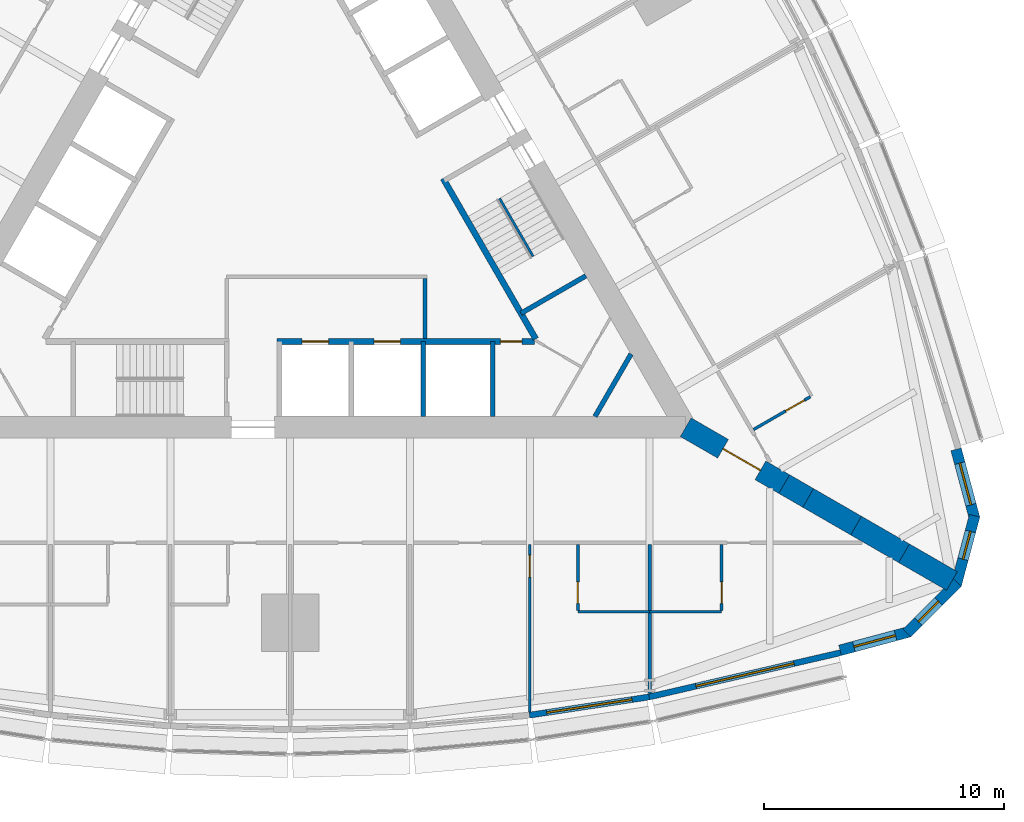
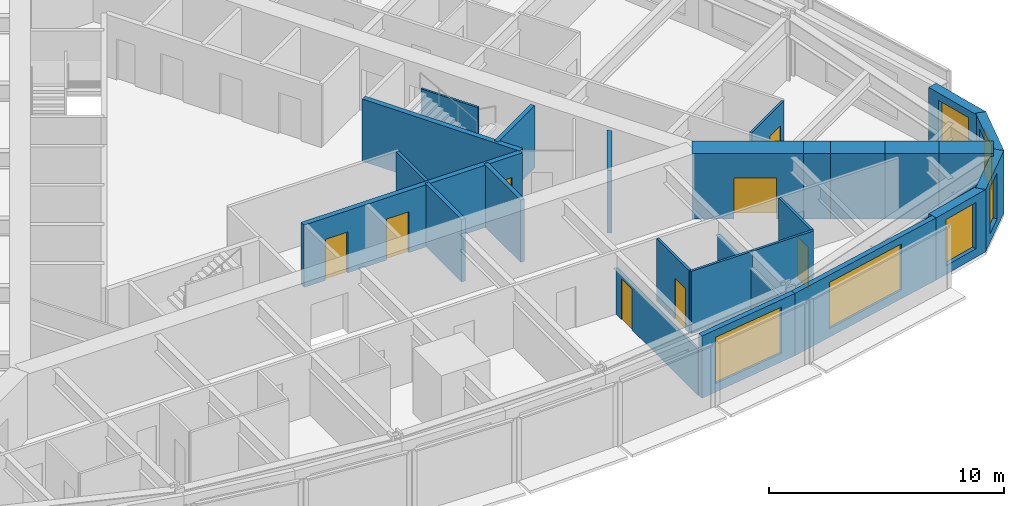
# One storey, part 10 of 14: 26 walls, 8 doors, 6 windows, 14 openings.
"""IFC4 building model written with IfcOpenShell, lengths in metres."""

from ifc_helpers import new_model, si_unit, direction, frame, frame_2d, origin, place, context, subcontext, project, spatial, polyline, rectangle, outline, extrude, material, layer, layer_set, type_object, element, fill, save


model = new_model("IFC4")

# Units and contexts
model_context = context("Model", 3, precision=1e-05, world=origin(), true_north=direction((0.0, 1.0)))
body_context = subcontext(model_context, "Body", "Model", "MODEL_VIEW")
ifc_project = project(units=[si_unit("LENGTHUNIT", "METRE"), si_unit("AREAUNIT", "SQUARE_METRE"), si_unit("VOLUMEUNIT", "CUBIC_METRE"), si_unit("PLANEANGLEUNIT", "RADIAN"), si_unit("MASSUNIT", "GRAM", prefix="KILO")], contexts=[model_context])

# Site, building, storey
site_placement = place(None, origin())
site = spatial("IfcSite", under=ifc_project, at=site_placement, CompositionType="ELEMENT")
building_placement = place(site_placement, origin())
building = spatial("IfcBuilding", under=site, at=building_placement, Name="Trikona Tower", CompositionType="ELEMENT")
storey_placement = place(building_placement, frame((0.0, 0.0, 62.5)))
storey = spatial("IfcBuildingStorey", under=building, at=storey_placement, Name="L15", CompositionType="ELEMENT", Elevation=62.5)

# Wall
ifc_material_1 = material(Name="Metal stud and cement board", Category="gypsum")
ifc_layer_1 = layer(ifc_material_1, 0.1201171875)
ifc_layer_set_1 = layer_set([ifc_layer_1], Name="Bathroom wall 120")
wall_type_1 = type_object("IfcWallType", Name="Bathroom wall 120", PredefinedType="PLUMBINGWALL", material=ifc_layer_set_1)
wall_1_placement = place(storey_placement, frame((12.0, -17.226318359375, 0.0), z_axis=(0.0, 0.0, 1.0), x_axis=(1.0, 0.0, 0.0)))
element("IfcWall", 1, at=wall_1_placement, inside=storey, type_object=wall_type_1, Name="Bathroom wall 1505.1", PredefinedType="PLUMBINGWALL", context=body_context, shape_type="SweptSolid", body=[
    extrude(rectangle(XDim=3.0, YDim=0.1201171875, at=frame_2d((1.5, 0.0))), origin(), (0.0, 0.0, 1.0), 3.235107421875),
])

# Wall, opening, door
wall_2_placement = place(storey_placement, frame((12.0, -14.42626953125, 0.0), z_axis=(0.0, 0.0, 1.0), x_axis=(0.0, -1.0, 0.0)))
wall_2 = element("IfcWall", 2, at=wall_2_placement, inside=storey, type_object=wall_type_1, Name="Bathroom wall 1505.1", PredefinedType="PLUMBINGWALL", context=body_context, shape_type="SweptSolid", body=[
    extrude(rectangle(XDim=2.739990234375, YDim=0.1201171875, at=frame_2d((1.3701171875, 0.0))), origin(), (0.0, 0.0, 1.0), 3.235107421875),
])
opening_1_placement = place(wall_2_placement, frame((1.550048828125, 0.0, 0.0)))
opening_1 = element("IfcOpeningElement", 3, at=opening_1_placement, cuts=wall_2, Name="Opening D2", PredefinedType="OPENING", context=body_context, shape_type="SweptSolid", body=[
    extrude(rectangle(XDim=0.89990234375, YDim=2.1298828125, at=frame_2d((0.449951171875, 1.06494140625))), frame((0.0, 0.070068359375, 0.0), z_axis=(0.0, -1.0, 0.0), x_axis=(1.0, 0.0, 0.0)), (0.0, 0.0, 1.0), 0.14013671875),
])
ifc_material_2 = material(Name="Steel door frame with solid-core timber leaf", Category="steel")
door_type_1 = type_object("IfcDoorType", Name="Bathroom door 900x2130", OperationType="SLIDING_TO_LEFT", PredefinedType="DOOR", material=ifc_material_2)
door_1_placement = place(opening_1_placement, origin())
door_1 = element("IfcDoor", 4, at=door_1_placement, inside=storey, type_object=door_type_1, Name="Bathroom door 1505.1", OperationType="SLIDING_TO_LEFT", OverallHeight=2.1298828125, OverallWidth=0.89990234375, PredefinedType="DOOR", context=body_context, shape_type="SweptSolid", body=[
    extrude(rectangle(XDim=0.89990234375, YDim=2.1298828125, at=frame_2d((0.449951171875, 1.06494140625))), frame((0.0, 0.02490234375, 0.0), z_axis=(0.0, -1.0, 0.0), x_axis=(1.0, 0.0, 0.0)), (0.0, 0.0, 1.0), 0.050048828125),
])
fill(opening_1, door_1)

# Wall
wall_3_placement = place(storey_placement, frame((15.0, -17.226318359375, 0.0), z_axis=(0.0, 0.0, 1.0), x_axis=(1.0, 0.0, 0.0)))
element("IfcWall", 5, at=wall_3_placement, inside=storey, type_object=wall_type_1, Name="Bathroom wall 1506", PredefinedType="PLUMBINGWALL", context=body_context, shape_type="SweptSolid", body=[
    extrude(rectangle(XDim=3.0, YDim=0.1201171875, at=frame_2d((1.5, 0.0))), origin(), (0.0, 0.0, 1.0), 3.235107421875),
])

# Wall, opening, door
wall_4_placement = place(storey_placement, frame((18.0, -14.42626953125, 0.0), z_axis=(0.0, 0.0, 1.0), x_axis=(0.0, -1.0, 0.0)))
wall_4 = element("IfcWall", 6, at=wall_4_placement, inside=storey, type_object=wall_type_1, Name="Bathroom wall 1506", PredefinedType="PLUMBINGWALL", context=body_context, shape_type="SweptSolid", body=[
    extrude(rectangle(XDim=2.739990234375, YDim=0.1201171875, at=frame_2d((1.3701171875, 0.0))), origin(), (0.0, 0.0, 1.0), 3.235107421875),
])
opening_2_placement = place(wall_4_placement, frame((1.550048828125, 0.0, 0.0)))
opening_2 = element("IfcOpeningElement", 7, at=opening_2_placement, cuts=wall_4, Name="Opening D2", PredefinedType="OPENING", context=body_context, shape_type="SweptSolid", body=[
    extrude(rectangle(XDim=0.89990234375, YDim=2.1298828125, at=frame_2d((0.449951171875, 1.06494140625))), frame((0.0, 0.070068359375, 0.0), z_axis=(0.0, -1.0, 0.0), x_axis=(1.0, 0.0, 0.0)), (0.0, 0.0, 1.0), 0.14013671875),
])
door_2_placement = place(opening_2_placement, origin())
door_2 = element("IfcDoor", 8, at=door_2_placement, inside=storey, type_object=door_type_1, Name="Bathroom door 1506", OperationType="SLIDING_TO_LEFT", OverallHeight=2.1298828125, OverallWidth=0.89990234375, PredefinedType="DOOR", context=body_context, shape_type="SweptSolid", body=[
    extrude(rectangle(XDim=0.89990234375, YDim=2.1298828125, at=frame_2d((0.449951171875, 1.06494140625))), frame((0.0, 0.02490234375, 0.0), z_axis=(0.0, -1.0, 0.0), x_axis=(1.0, 0.0, 0.0)), (0.0, 0.0, 1.0), 0.050048828125),
])
fill(opening_2, door_2)

wall_5_placement = place(storey_placement, frame((19.32861328125, -9.625244140625, 0.0), z_axis=(0.0, 0.0, 1.0), x_axis=(0.866035715982, 0.499982138324, 0.0)))
wall_5 = element("IfcWall", 9, at=wall_5_placement, inside=storey, type_object=wall_type_1, Name="Bathroom wall 1507", PredefinedType="PLUMBINGWALL", context=body_context, shape_type="SweptSolid", body=[
    extrude(rectangle(XDim=2.73974609375, YDim=0.1201171875, at=frame_2d((1.369873046875, 0.0))), origin(), (0.0, 0.0, 1.0), 3.235107421875),
])
opening_3_placement = place(wall_5_placement, frame((1.550048828125, 0.0, 0.0)))
opening_3 = element("IfcOpeningElement", 10, at=opening_3_placement, cuts=wall_5, Name="Opening D2", PredefinedType="OPENING", context=body_context, shape_type="SweptSolid", body=[
    extrude(rectangle(XDim=0.89990234375, YDim=2.1298828125, at=frame_2d((0.449951171875, 1.06494140625))), frame((0.0, 0.070068359375, 0.0), z_axis=(0.0, -1.0, 0.0), x_axis=(1.0, 0.0, 0.0)), (0.0, 0.0, 1.0), 0.14013671875),
])
door_3_placement = place(opening_3_placement, origin())
door_3 = element("IfcDoor", 11, at=door_3_placement, inside=storey, type_object=door_type_1, Name="Bathroom door 1507", OperationType="SLIDING_TO_LEFT", OverallHeight=2.1298828125, OverallWidth=0.89990234375, PredefinedType="DOOR", context=body_context, shape_type="SweptSolid", body=[
    extrude(rectangle(XDim=0.89990234375, YDim=2.1298828125, at=frame_2d((0.449951171875, 1.06494140625))), frame((0.0, 0.02490234375, 0.0), z_axis=(0.0, -1.0, 0.0), x_axis=(1.0, 0.0, 0.0)), (0.0, 0.0, 1.0), 0.050048828125),
])
fill(opening_3, door_3)

# Wall, opening, window
ifc_material_3 = material(Name="Brick-faced precast concrete", Category="masonry")
ifc_layer_2 = layer(ifc_material_3, 0.449951171875)
ifc_layer_set_2 = layer_set([ifc_layer_2], Name="Brick-faced corner wall 450")
wall_type_2 = type_object("IfcWallType", Name="Brick-faced corner wall 450", PredefinedType="SOLIDWALL", material=ifc_layer_set_2)
wall_6_placement = place(storey_placement, frame((22.94189453125, -18.835205078125, 0.0), z_axis=(0.0, 0.0, 1.0), x_axis=(0.965930548995, 0.258801419081, 0.0)))
wall_6 = element("IfcWall", 12, at=wall_6_placement, inside=storey, type_object=wall_type_2, Name="External wall L15-08", PredefinedType="SOLIDWALL", context=body_context, shape_type="SweptSolid", body=[
    extrude(rectangle(XDim=2.988525390625, YDim=0.449951171875, at=frame_2d((1.494140625, 0.0))), origin(), (0.0, 0.0, 1.0), 3.235107421875),
])
opening_4_placement = place(wall_6_placement, frame((0.59423828125, 0.0, 0.449951171875)))
opening_4 = element("IfcOpeningElement", 13, at=opening_4_placement, cuts=wall_6, Name="Opening W1824", PredefinedType="OPENING", context=body_context, shape_type="SweptSolid", body=[
    extrude(rectangle(XDim=1.800048828125, YDim=2.39990234375, at=frame_2d((0.89990234375, 1.199951171875))), frame((0.0, 0.23486328125, 0.0), z_axis=(0.0, -1.0, 0.0), x_axis=(1.0, 0.0, 0.0)), (0.0, 0.0, 1.0), 0.469970703125),
])
ifc_material_4 = material(Name="Aluminium-framed double glazing", Category="aluminium")
window_type_1 = type_object("IfcWindowType", Name="Window 1800x2400", PartitioningType="SINGLE_PANEL", PredefinedType="WINDOW", material=ifc_material_4)
window_1_placement = place(opening_4_placement, origin())
window_1 = element("IfcWindow", 14, at=window_1_placement, inside=storey, type_object=window_type_1, Name="Window 1506", OverallHeight=2.39990234375, OverallWidth=1.800048828125, PartitioningType="SINGLE_PANEL", PredefinedType="WINDOW", context=body_context, shape_type="SweptSolid", body=[
    extrude(rectangle(XDim=1.800048828125, YDim=2.39990234375, at=frame_2d((0.89990234375, 1.199951171875))), frame((0.0, 0.030029296875, 0.0), z_axis=(0.0, -1.0, 0.0), x_axis=(1.0, 0.0, 0.0)), (0.0, 0.0, 1.0), 0.06005859375),
])
fill(opening_4, window_1)

wall_7_placement = place(storey_placement, frame((25.727783203125, -18.1201171875, 0.0), z_axis=(0.0, 0.0, 1.0), x_axis=(0.707025086683, 0.707188466253, 0.0)))
wall_7 = element("IfcWall", 15, at=wall_7_placement, inside=storey, type_object=wall_type_2, Name="External wall L15-09", PredefinedType="SOLIDWALL", context=body_context, shape_type="SweptSolid", body=[
    extrude(outline(polyline([(2.988525390625, 0.22509765625), (2.929931640625, 0.22509765625), (2.4375, 0.093017578125), (2.402099609375, 0.22509765625), (0.0, 0.22509765625), (0.0, -0.22509765625), (2.988525390625, -0.22509765625), (2.988525390625, 0.22509765625)])), origin(), (0.0, 0.0, 1.0), 3.235107421875),
])
opening_5_placement = place(wall_7_placement, frame((0.676025390625, 0.0, 0.449951171875)))
opening_5 = element("IfcOpeningElement", 16, at=opening_5_placement, cuts=wall_7, Name="Opening W1224", PredefinedType="OPENING", context=body_context, shape_type="SweptSolid", body=[
    extrude(rectangle(XDim=1.199951171875, YDim=2.39990234375, at=frame_2d((0.60009765625, 1.199951171875))), frame((0.0, 0.23486328125, 0.0), z_axis=(0.0, -1.0, 0.0), x_axis=(1.0, 0.0, 0.0)), (0.0, 0.0, 1.0), 0.469970703125),
])
ifc_material_5 = material(Name="Aluminium-framed double glazing", Category="aluminium")
window_type_2 = type_object("IfcWindowType", Name="Window 1200x2400", PartitioningType="SINGLE_PANEL", PredefinedType="WINDOW", material=ifc_material_5)
window_2_placement = place(opening_5_placement, origin())
window_2 = element("IfcWindow", 17, at=window_2_placement, inside=storey, type_object=window_type_2, Name="Window 1506", OverallHeight=2.39990234375, OverallWidth=1.199951171875, PartitioningType="SINGLE_PANEL", PredefinedType="WINDOW", context=body_context, shape_type="SweptSolid", body=[
    extrude(rectangle(XDim=1.199951171875, YDim=2.39990234375, at=frame_2d((0.60009765625, 1.199951171875))), frame((0.0, 0.030029296875, 0.0), z_axis=(0.0, -1.0, 0.0), x_axis=(1.0, 0.0, 0.0)), (0.0, 0.0, 1.0), 0.06005859375),
])
fill(opening_5, window_2)

wall_8_placement = place(storey_placement, frame((27.78271484375, -16.107666015625, 0.0), z_axis=(0.0, 0.0, 1.0), x_axis=(0.258801419081, 0.965930548995, 0.0)))
wall_8 = element("IfcWall", 18, at=wall_8_placement, inside=storey, type_object=wall_type_2, Name="External wall L15-10", PredefinedType="SOLIDWALL", context=body_context, shape_type="SweptSolid", body=[
    extrude(outline(polyline([(2.988525390625, 0.22509765625), (0.58642578125, 0.22509765625), (0.55126953125, 0.09326171875), (0.0595703125, 0.22509765625), (0.0, 0.22509765625), (0.0, -0.22509765625), (2.988525390625, -0.22509765625), (2.988525390625, 0.22509765625)])), origin(), (0.0, 0.0, 1.0), 3.235107421875),
])
opening_6_placement = place(wall_8_placement, frame((1.112548828125, 0.0, 0.449951171875)))
opening_6 = element("IfcOpeningElement", 19, at=opening_6_placement, cuts=wall_8, Name="Opening W1224", PredefinedType="OPENING", context=body_context, shape_type="SweptSolid", body=[
    extrude(rectangle(XDim=1.199951171875, YDim=2.39990234375, at=frame_2d((0.60009765625, 1.199951171875))), frame((0.0, 0.23486328125, 0.0), z_axis=(0.0, -1.0, 0.0), x_axis=(1.0, 0.0, 0.0)), (0.0, 0.0, 1.0), 0.469970703125),
])
window_3_placement = place(opening_6_placement, origin())
window_3 = element("IfcWindow", 20, at=window_3_placement, inside=storey, type_object=window_type_2, Name="Window 1507", OverallHeight=2.39990234375, OverallWidth=1.199951171875, PartitioningType="SINGLE_PANEL", PredefinedType="WINDOW", context=body_context, shape_type="SweptSolid", body=[
    extrude(rectangle(XDim=1.199951171875, YDim=2.39990234375, at=frame_2d((0.60009765625, 1.199951171875))), frame((0.0, 0.030029296875, 0.0), z_axis=(0.0, -1.0, 0.0), x_axis=(1.0, 0.0, 0.0)), (0.0, 0.0, 1.0), 0.06005859375),
])
fill(opening_6, window_3)

wall_9_placement = place(storey_placement, frame((28.55615234375, -13.33740234375, 0.0), z_axis=(0.0, 0.0, 1.0), x_axis=(-0.258780998834, 0.965936019953, 0.0)))
wall_9 = element("IfcWall", 21, at=wall_9_placement, inside=storey, type_object=wall_type_2, Name="External wall L15-11", PredefinedType="SOLIDWALL", context=body_context, shape_type="SweptSolid", body=[
    extrude(rectangle(XDim=2.98876953125, YDim=0.449951171875, at=frame_2d((1.494384765625, 0.0))), origin(), (0.0, 0.0, 1.0), 3.235107421875),
])
opening_7_placement = place(wall_9_placement, frame((0.59423828125, 0.0, 0.449951171875)))
opening_7 = element("IfcOpeningElement", 22, at=opening_7_placement, cuts=wall_9, Name="Opening W1824", PredefinedType="OPENING", context=body_context, shape_type="SweptSolid", body=[
    extrude(rectangle(XDim=1.800048828125, YDim=2.39990234375, at=frame_2d((0.89990234375, 1.199951171875))), frame((0.0, 0.23486328125, 0.0), z_axis=(0.0, -1.0, 0.0), x_axis=(1.0, 0.0, 0.0)), (0.0, 0.0, 1.0), 0.469970703125),
])
window_4_placement = place(opening_7_placement, origin())
window_4 = element("IfcWindow", 23, at=window_4_placement, inside=storey, type_object=window_type_1, Name="Window 1507", OverallHeight=2.39990234375, OverallWidth=1.800048828125, PartitioningType="SINGLE_PANEL", PredefinedType="WINDOW", context=body_context, shape_type="SweptSolid", body=[
    extrude(rectangle(XDim=1.800048828125, YDim=2.39990234375, at=frame_2d((0.89990234375, 1.199951171875))), frame((0.0, 0.030029296875, 0.0), z_axis=(0.0, -1.0, 0.0), x_axis=(1.0, 0.0, 0.0)), (0.0, 0.0, 1.0), 0.06005859375),
])
fill(opening_7, window_4)

# Wall, opening, door
ifc_material_6 = material(Name="Concrete f'c 10000 psi", Category="concrete")
ifc_layer_3 = layer(ifc_material_6, 0.89990234375)
ifc_layer_set_3 = layer_set([ifc_layer_3], Name="Buttress wall 900")
wall_type_3 = type_object("IfcWallType", Name="Buttress wall 900", PredefinedType="SHEAR", material=ifc_layer_set_3)
wall_10_placement = place(storey_placement, frame((16.5, -9.5263671875, 0.0), z_axis=(0.0, 0.0, 1.0), x_axis=(0.866031398331, -0.499989616998, 0.0)))
wall_10 = element("IfcWall", 24, at=wall_10_placement, inside=storey, type_object=wall_type_3, Name="Buttress wall 1", PredefinedType="SHEAR", context=body_context, shape_type="SweptSolid", body=[
    extrude(rectangle(XDim=4.74609375, YDim=0.89990234375, at=frame_2d((2.373046875, 0.0))), origin(), (0.0, 0.0, 1.0), 3.39990234375),
])
opening_8_placement = place(wall_10_placement, frame((1.800048828125, 0.0, 0.0)))
opening_8 = element("IfcOpeningElement", 25, at=opening_8_placement, cuts=wall_10, Name="Opening D10", PredefinedType="OPENING", context=body_context, shape_type="SweptSolid", body=[
    extrude(rectangle(XDim=1.800048828125, YDim=2.1298828125, at=frame_2d((0.89990234375, 1.06494140625))), frame((0.0, 0.4599609375, 0.0), z_axis=(0.0, -1.0, 0.0), x_axis=(1.0, 0.0, 0.0)), (0.0, 0.0, 1.0), 0.919921875),
])
ifc_material_7 = material(Name="Hollow metal door and frame", Category="steel")
door_type_2 = type_object("IfcDoorType", Name="Cross-corridor door pair 1800x2130", OperationType="DOUBLE_DOOR_DOUBLE_SWING", PredefinedType="DOOR", material=ifc_material_7)
door_4_placement = place(opening_8_placement, origin())
door_4 = element("IfcDoor", 26, at=door_4_placement, inside=storey, type_object=door_type_2, Name="Cross-corridor door 1", OperationType="DOUBLE_DOOR_DOUBLE_SWING", OverallHeight=2.1298828125, OverallWidth=1.800048828125, PredefinedType="DOOR", context=body_context, shape_type="SweptSolid", body=[
    extrude(rectangle(XDim=1.800048828125, YDim=2.1298828125, at=frame_2d((0.89990234375, 1.06494140625))), frame((0.0, 0.02490234375, 0.0), z_axis=(0.0, -1.0, 0.0), x_axis=(1.0, 0.0, 0.0)), (0.0, 0.0, 1.0), 0.050048828125),
])
fill(opening_8, door_4)

# Walls
wall_11_placement = place(storey_placement, frame((20.6103515625, -11.8994140625, 0.0), z_axis=(0.0, 0.0, 1.0), x_axis=(0.866009537788, -0.500027479704, 0.0)))
element("IfcWall", 27, at=wall_11_placement, inside=storey, type_object=wall_type_3, Name="Buttress wall 1 part 2", PredefinedType="SHEAR", context=body_context, shape_type="SweptSolid", body=[
    extrude(rectangle(XDim=1.15478515625, YDim=0.89990234375, at=frame_2d((0.577392578125, 0.0))), origin(), (0.0, 0.0, 1.0), 3.39990234375),
])
for number, where, z_axis, x_axis, name in (
    (28, (21.6103515625, -12.476806640625, 0.0), (0.0, 0.0, 1.0), (0.866055313784, -0.499948190782, 0.0), "Buttress wall 1 part 3"),
    (29, (23.6103515625, -13.63134765625, 0.0), (0.0, 0.0, 1.0), (0.866009537788, -0.500027479704, 0.0), "Buttress wall 1 part 4"),
    (30, (25.6103515625, -14.7861328125, 0.0), (0.0, 0.0, 1.0), (0.866009537788, -0.500027479704, 0.0), "Buttress wall 1 part 5"),
):
    element("IfcWall", number, at=place(storey_placement, frame(where, z_axis=z_axis, x_axis=x_axis)), inside=storey, type_object=wall_type_3, Name=name, PredefinedType="SHEAR", context=body_context, shape_type="SweptSolid", body=[
        extrude(rectangle(XDim=2.309326171875, YDim=0.89990234375, at=frame_2d((1.15478515625, 0.0))), origin(), (0.0, 0.0, 1.0), 3.39990234375),
    ])

# Wall, openings, doors
ifc_material_8 = material(Name="Concrete f'c 8000 psi", Category="concrete")
ifc_layer_4 = layer(ifc_material_8, 0.25)
ifc_layer_set_4 = layer_set([ifc_layer_4], Name="Hub wall 250")
wall_type_4 = type_object("IfcWallType", Name="Hub wall 250", PredefinedType="SOLIDWALL", material=ifc_layer_set_4)
wall_12_placement = place(storey_placement, frame((-0.550048828125, -5.951416015625, 0.0), z_axis=(0.0, 0.0, 1.0), x_axis=(1.0, 0.0, 0.0)))
wall_12 = element("IfcWall", 31, at=wall_12_placement, inside=storey, type_object=wall_type_4, Name="Lift lobby wall A2", PredefinedType="SOLIDWALL", context=body_context, shape_type="SweptSolid", body=[
    extrude(rectangle(XDim=10.73291015625, YDim=0.25, at=frame_2d((5.366455078125, 0.0))), origin(), (0.0, 0.0, 1.0), 3.235107421875),
])
opening_9_placement = place(wall_12_placement, frame((9.31396484375, 0.0, 0.0)))
opening_9 = element("IfcOpeningElement", 32, at=opening_9_placement, cuts=wall_12, Name="Opening D14", PredefinedType="OPENING", context=body_context, shape_type="SweptSolid", body=[
    extrude(rectangle(XDim=0.89990234375, YDim=2.1298828125, at=frame_2d((0.449951171875, 1.06494140625))), frame((0.0, 0.135009765625, 0.0), z_axis=(0.0, -1.0, 0.0), x_axis=(1.0, 0.0, 0.0)), (0.0, 0.0, 1.0), 0.27001953125),
])
opening_10_placement = place(wall_12_placement, frame((1.050048828125, 0.0, 0.0)))
opening_10 = element("IfcOpeningElement", 33, at=opening_10_placement, cuts=wall_12, Name="Opening LD", PredefinedType="OPENING", context=body_context, shape_type="SweptSolid", body=[
    extrude(rectangle(XDim=1.10009765625, YDim=2.1298828125, at=frame_2d((0.550048828125, 1.06494140625))), frame((0.0, 0.135009765625, 0.0), z_axis=(0.0, -1.0, 0.0), x_axis=(1.0, 0.0, 0.0)), (0.0, 0.0, 1.0), 0.27001953125),
])
opening_11_placement = place(wall_12_placement, frame((4.050048828125, 0.0, 0.0)))
opening_11 = element("IfcOpeningElement", 34, at=opening_11_placement, cuts=wall_12, Name="Opening LD", PredefinedType="OPENING", context=body_context, shape_type="SweptSolid", body=[
    extrude(rectangle(XDim=1.10009765625, YDim=2.1298828125, at=frame_2d((0.550048828125, 1.06494140625))), frame((0.0, 0.135009765625, 0.0), z_axis=(0.0, -1.0, 0.0), x_axis=(1.0, 0.0, 0.0)), (0.0, 0.0, 1.0), 0.27001953125),
])
ifc_material_9 = material(Name="Stainless steel lift landing door", Category="steel")
door_type_3 = type_object("IfcDoorType", Name="Lift landing door 1100x2130", OperationType="DOUBLE_DOOR_SLIDING", PredefinedType="USERDEFINED", material=ifc_material_9)
door_5_placement = place(opening_10_placement, origin())
door_5 = element("IfcDoor", 35, at=door_5_placement, inside=storey, type_object=door_type_3, Name="Lift landing door FF1", ObjectType="LIFT LANDING DOOR", OperationType="DOUBLE_DOOR_SLIDING", OverallHeight=2.1298828125, OverallWidth=1.10009765625, PredefinedType="USERDEFINED", context=body_context, shape_type="SweptSolid", body=[
    extrude(rectangle(XDim=1.10009765625, YDim=2.1298828125, at=frame_2d((0.550048828125, 1.06494140625))), frame((0.0, 0.02490234375, 0.0), z_axis=(0.0, -1.0, 0.0), x_axis=(1.0, 0.0, 0.0)), (0.0, 0.0, 1.0), 0.050048828125),
])
fill(opening_10, door_5)
door_6_placement = place(opening_11_placement, origin())
door_6 = element("IfcDoor", 36, at=door_6_placement, inside=storey, type_object=door_type_3, Name="Lift landing door FF2", ObjectType="LIFT LANDING DOOR", OperationType="DOUBLE_DOOR_SLIDING", OverallHeight=2.1298828125, OverallWidth=1.10009765625, PredefinedType="USERDEFINED", context=body_context, shape_type="SweptSolid", body=[
    extrude(rectangle(XDim=1.10009765625, YDim=2.1298828125, at=frame_2d((0.550048828125, 1.06494140625))), frame((0.0, 0.02490234375, 0.0), z_axis=(0.0, -1.0, 0.0), x_axis=(1.0, 0.0, 0.0)), (0.0, 0.0, 1.0), 0.050048828125),
])
fill(opening_11, door_6)
ifc_material_10 = material(Name="Hollow metal door and frame", Category="steel")
door_type_4 = type_object("IfcDoorType", Name="Service room door 900x2130", OperationType="SINGLE_SWING_LEFT", PredefinedType="DOOR", material=ifc_material_10)
door_7_placement = place(opening_9_placement, origin())
door_7 = element("IfcDoor", 37, at=door_7_placement, inside=storey, type_object=door_type_4, Name="Door Linen store LIN", OperationType="SINGLE_SWING_RIGHT", OverallHeight=2.1298828125, OverallWidth=0.89990234375, PredefinedType="DOOR", context=body_context, shape_type="SweptSolid", body=[
    extrude(rectangle(XDim=0.89990234375, YDim=2.1298828125, at=frame_2d((0.449951171875, 1.06494140625))), frame((0.0, 0.02490234375, 0.0), z_axis=(0.0, -1.0, 0.0), x_axis=(1.0, 0.0, 0.0)), (0.0, 0.0, 1.0), 0.050048828125),
])
fill(opening_9, door_7)

# Wall
wall_13_placement = place(storey_placement, frame((10.245361328125, -5.843017578125, 0.0), z_axis=(0.0, 0.0, 1.0), x_axis=(-0.499993009313, 0.866029439822, 0.0)))
element("IfcWall", 38, at=wall_13_placement, inside=storey, type_object=wall_type_4, Name="Lift lobby wall B1", PredefinedType="SOLIDWALL", context=body_context, shape_type="SweptSolid", body=[
    extrude(rectangle(XDim=7.73291015625, YDim=0.25, at=frame_2d((3.866455078125, 0.0))), origin(), (0.0, 0.0, 1.0), 3.235107421875),
])

# Wall, opening, window
ifc_material_11 = material(Name="Insulated precast concrete spandrel panel", Category="concrete")
ifc_layer_5 = layer(ifc_material_11, 0.25)
ifc_layer_set_5 = layer_set([ifc_layer_5], Name="Inner skin wall 250")
wall_type_5 = type_object("IfcWallType", Name="Inner skin wall 250", PredefinedType="STANDARD", material=ifc_layer_set_5)
wall_14_placement = place(storey_placement, frame((9.981201171875, -21.540283203125, 0.0), z_axis=(0.0, 0.0, 1.0), x_axis=(0.988615403399, 0.150464561152, 0.0)))
wall_14 = element("IfcWall", 39, at=wall_14_placement, inside=storey, type_object=wall_type_5, Name="External wall L15-06", PredefinedType="STANDARD", context=body_context, shape_type="SweptSolid", body=[
    extrude(rectangle(XDim=5.0576171875, YDim=0.25, at=frame_2d((2.52880859375, 0.0))), origin(), (0.0, 0.0, 1.0), 3.235107421875),
])
opening_12_placement = place(wall_14_placement, frame((0.728759765625, 0.0, 0.449951171875)))
opening_12 = element("IfcOpeningElement", 40, at=opening_12_placement, cuts=wall_14, Name="Opening W3624", PredefinedType="OPENING", context=body_context, shape_type="SweptSolid", body=[
    extrude(rectangle(XDim=3.60009765625, YDim=2.39990234375, at=frame_2d((1.800048828125, 1.199951171875))), frame((0.0, 0.135009765625, 0.0), z_axis=(0.0, -1.0, 0.0), x_axis=(1.0, 0.0, 0.0)), (0.0, 0.0, 1.0), 0.27001953125),
])
ifc_material_12 = material(Name="Aluminium-framed double glazing", Category="aluminium")
window_type_3 = type_object("IfcWindowType", Name="Window 3600x2400", PartitioningType="SINGLE_PANEL", PredefinedType="WINDOW", material=ifc_material_12)
window_5_placement = place(opening_12_placement, origin())
window_5 = element("IfcWindow", 41, at=window_5_placement, inside=storey, type_object=window_type_3, Name="Window 1505.1", OverallHeight=2.39990234375, OverallWidth=3.60009765625, PartitioningType="SINGLE_PANEL", PredefinedType="WINDOW", context=body_context, shape_type="SweptSolid", body=[
    extrude(rectangle(XDim=3.60009765625, YDim=2.39990234375, at=frame_2d((1.800048828125, 1.199951171875))), frame((0.0, 0.030029296875, 0.0), z_axis=(0.0, -1.0, 0.0), x_axis=(1.0, 0.0, 0.0)), (0.0, 0.0, 1.0), 0.06005859375),
])
fill(opening_12, window_5)

wall_15_placement = place(storey_placement, frame((14.9716796875, -20.78125, 0.0), z_axis=(0.0, 0.0, 1.0), x_axis=(0.974279327392, 0.225343720163, 0.0)))
wall_15 = element("IfcWall", 42, at=wall_15_placement, inside=storey, type_object=wall_type_5, Name="External wall L15-07", PredefinedType="STANDARD", context=body_context, shape_type="SweptSolid", body=[
    extrude(rectangle(XDim=8.211181640625, YDim=0.25, at=frame_2d((4.10546875, 0.0))), origin(), (0.0, 0.0, 1.0), 3.235107421875),
])
opening_13_placement = place(wall_15_placement, frame((2.005615234375, 0.0, 0.449951171875)))
opening_13 = element("IfcOpeningElement", 43, at=opening_13_placement, cuts=wall_15, Name="Opening W4224", PredefinedType="OPENING", context=body_context, shape_type="SweptSolid", body=[
    extrude(rectangle(XDim=4.199951171875, YDim=2.39990234375, at=frame_2d((2.10009765625, 1.199951171875))), frame((0.0, 0.135009765625, 0.0), z_axis=(0.0, -1.0, 0.0), x_axis=(1.0, 0.0, 0.0)), (0.0, 0.0, 1.0), 0.27001953125),
])
ifc_material_13 = material(Name="Aluminium-framed double glazing", Category="aluminium")
window_type_4 = type_object("IfcWindowType", Name="Window 4200x2400", PartitioningType="SINGLE_PANEL", PredefinedType="WINDOW", material=ifc_material_13)
window_6_placement = place(opening_13_placement, origin())
window_6 = element("IfcWindow", 44, at=window_6_placement, inside=storey, type_object=window_type_4, Name="Window 1506", OverallHeight=2.39990234375, OverallWidth=4.199951171875, PartitioningType="SINGLE_PANEL", PredefinedType="WINDOW", context=body_context, shape_type="SweptSolid", body=[
    extrude(rectangle(XDim=4.199951171875, YDim=2.39990234375, at=frame_2d((2.10009765625, 1.199951171875))), frame((0.0, 0.030029296875, 0.0), z_axis=(0.0, -1.0, 0.0), x_axis=(1.0, 0.0, 0.0)), (0.0, 0.0, 1.0), 0.06005859375),
])
fill(opening_13, window_6)

# Walls
ifc_material_14 = material(Name="Metal stud and gypsum board, 2-hour shaft wall", Category="gypsum")
ifc_layer_6 = layer(ifc_material_14, 0.14990234375)
ifc_layer_set_6 = layer_set([ifc_layer_6], Name="Lobby wall 150")
wall_type_6 = type_object("IfcWallType", Name="Lobby wall 150", PredefinedType="PARTITIONING", material=ifc_layer_set_6)
wall_16_placement = place(storey_placement, frame((5.625, -5.826416015625, 0.0), z_axis=(0.0, 0.0, 1.0), x_axis=(0.0, 1.0, 0.0)))
element("IfcWall", 45, at=wall_16_placement, inside=storey, type_object=wall_type_6, Name="Fire service lift lobby wall 3", PredefinedType="PARTITIONING", context=body_context, shape_type="SweptSolid", body=[
    extrude(rectangle(XDim=2.5, YDim=0.14990234375, at=frame_2d((1.25, 0.0))), origin(), (0.0, 0.0, 1.0), 3.235107421875),
])
ifc_material_15 = material(Name="Metal stud and gypsum board, 1-hour acoustic", Category="gypsum")
ifc_layer_7 = layer(ifc_material_15, 0.14990234375)
ifc_layer_set_7 = layer_set([ifc_layer_7], Name="Party wall 150")
wall_type_7 = type_object("IfcWallType", Name="Party wall 150", PredefinedType="PARTITIONING", material=ifc_layer_set_7)
wall_17_placement = place(storey_placement, frame((15.0, -14.42626953125, 0.0), z_axis=(0.0, 0.0, 1.0), x_axis=(0.0, -1.0, 0.0)))
element("IfcWall", 46, at=wall_17_placement, inside=storey, type_object=wall_type_7, Name="Partition L15 F1 u15", PredefinedType="PARTITIONING", context=body_context, shape_type="SweptSolid", body=[
    extrude(rectangle(XDim=6.22021484375, YDim=0.14990234375, at=frame_2d((3.110107421875, 0.0))), origin(), (0.0, 0.0, 1.0), 2.38916015625),
])
ifc_material_16 = material(Name="Concrete f'c 8000 psi", Category="concrete")
ifc_layer_8 = layer(ifc_material_16, 0.199951171875)
ifc_layer_set_8 = layer_set([ifc_layer_8], Name="Shaft wall 200")
wall_type_8 = type_object("IfcWallType", Name="Shaft wall 200", PredefinedType="SOLIDWALL", material=ifc_layer_set_8)
for number, where, z_axis, x_axis, name in (
    (47, (5.550048828125, -5.951416015625, 0.0), (0.0, 0.0, 1.0), (0.0, -1.0, 0.0), "Shaft wall A5"),
    (48, (8.449951171875, -5.951416015625, 0.0), (0.0, 0.0, 1.0), (0.0, -1.0, 0.0), "Shaft wall A6"),
):
    element("IfcWall", number, at=place(storey_placement, frame(where, z_axis=z_axis, x_axis=x_axis)), inside=storey, type_object=wall_type_8, Name=name, PredefinedType="SOLIDWALL", context=body_context, shape_type="SweptSolid", body=[
        extrude(rectangle(XDim=3.125, YDim=0.199951171875, at=frame_2d((1.5625, 0.0))), origin(), (0.0, 0.0, 1.0), 3.235107421875),
    ])
wall_18_placement = place(storey_placement, frame((14.219482421875, -6.476318359375, 0.0), z_axis=(0.0, 0.0, 1.0), x_axis=(-0.499952404951, -0.866052881055, 0.0)))
element("IfcWall", 49, at=wall_18_placement, inside=storey, type_object=wall_type_8, Name="Riser wall L15-RS1", PredefinedType="SOLIDWALL", context=body_context, shape_type="SweptSolid", body=[
    extrude(rectangle(XDim=3.002197265625, YDim=0.199951171875, at=frame_2d((1.5009765625, 0.0))), origin(), (0.0, 0.0, 1.0), 3.235107421875),
])
ifc_material_17 = material(Name="Concrete f'c 8000 psi", Category="concrete")
ifc_layer_9 = layer(ifc_material_17, 0.199951171875)
ifc_layer_set_9 = layer_set([ifc_layer_9], Name="Shaft wall 200 load-bearing")
wall_type_9 = type_object("IfcWallType", Name="Shaft wall 200 load-bearing", PredefinedType="SOLIDWALL", material=ifc_layer_set_9)
wall_19_placement = place(storey_placement, frame((9.62890625, -4.775390625, 0.0), z_axis=(0.0, 0.0, 1.0), x_axis=(0.866022959057, 0.500004234368, 0.0)))
element("IfcWall", 50, at=wall_19_placement, inside=storey, type_object=wall_type_9, Name="Shaft wall B1", PredefinedType="SOLIDWALL", context=body_context, shape_type="SweptSolid", body=[
    extrude(rectangle(XDim=3.125, YDim=0.199951171875, at=frame_2d((1.5625, 0.0))), origin(), (0.0, 0.0, 1.0), 3.235107421875),
])
ifc_material_18 = material(Name="Concrete f'c 5000 psi", Category="concrete")
ifc_layer_10 = layer(ifc_material_18, 0.10009765625)
ifc_layer_set_10 = layer_set([ifc_layer_10], Name="Stair spine wall 100")
wall_type_10 = type_object("IfcWallType", Name="Stair spine wall 100", PredefinedType="SOLIDWALL", material=ifc_layer_set_10)
wall_20_placement = place(storey_placement, frame((10.134765625, -2.4013671875, 0.0), z_axis=(0.0, 0.0, 1.0), x_axis=(-0.499992232847, 0.866029888106, 0.0)))
element("IfcWall", 51, at=wall_20_placement, inside=storey, type_object=wall_type_10, Name="Stair B spine wall L15", PredefinedType="SOLIDWALL", context=body_context, shape_type="SweptSolid", body=[
    extrude(rectangle(XDim=2.7939453125, YDim=0.10009765625, at=frame_2d((1.39697265625, 0.0))), origin(), (0.0, 0.0, 1.0), 3.39990234375),
])

# Wall, opening, door
ifc_material_19 = material(Name="Metal stud and gypsum board, acoustic", Category="gypsum")
ifc_layer_11 = layer(ifc_material_19, 0.10009765625)
ifc_layer_set_11 = layer_set([ifc_layer_11], Name="Suite partition 100")
wall_type_11 = type_object("IfcWallType", Name="Suite partition 100", PredefinedType="PARTITIONING", material=ifc_layer_set_11)
wall_21_placement = place(storey_placement, frame((10.0, -14.42626953125, 0.0), z_axis=(0.0, 0.0, 1.0), x_axis=(0.0, -1.0, 0.0)))
wall_21 = element("IfcWall", 52, at=wall_21_placement, inside=storey, type_object=wall_type_11, Name="Suite partition L15 F1 u10", PredefinedType="PARTITIONING", context=body_context, shape_type="SweptSolid", body=[
    extrude(rectangle(XDim=6.984619140625, YDim=0.10009765625, at=frame_2d((3.4921875, 0.0))), origin(), (0.0, 0.0, 1.0), 2.38916015625),
])
opening_14_placement = place(wall_21_placement, frame((0.449951171875, 0.0, 0.0)))
opening_14 = element("IfcOpeningElement", 53, at=opening_14_placement, cuts=wall_21, Name="Opening D13", PredefinedType="OPENING", context=body_context, shape_type="SweptSolid", body=[
    extrude(rectangle(XDim=0.89990234375, YDim=2.1298828125, at=frame_2d((0.449951171875, 1.06494140625))), frame((0.0, 0.06005859375, 0.0), z_axis=(0.0, -1.0, 0.0), x_axis=(1.0, 0.0, 0.0)), (0.0, 0.0, 1.0), 0.1201171875),
])
ifc_material_20 = material(Name="Steel door frame with solid-core timber leaf", Category="steel")
door_type_5 = type_object("IfcDoorType", Name="Suite door 900x2130", OperationType="SINGLE_SWING_LEFT", PredefinedType="DOOR", material=ifc_material_20)
door_8_placement = place(opening_14_placement, origin())
door_8 = element("IfcDoor", 54, at=door_8_placement, inside=storey, type_object=door_type_5, Name="Suite door 1505", OperationType="SINGLE_SWING_LEFT", OverallHeight=2.1298828125, OverallWidth=0.89990234375, PredefinedType="DOOR", context=body_context, shape_type="SweptSolid", body=[
    extrude(rectangle(XDim=0.89990234375, YDim=2.1298828125, at=frame_2d((0.449951171875, 1.06494140625))), frame((0.0, 0.02490234375, 0.0), z_axis=(0.0, -1.0, 0.0), x_axis=(1.0, 0.0, 0.0)), (0.0, 0.0, 1.0), 0.050048828125),
])
fill(opening_14, door_8)

save(model, "model.ifc")
